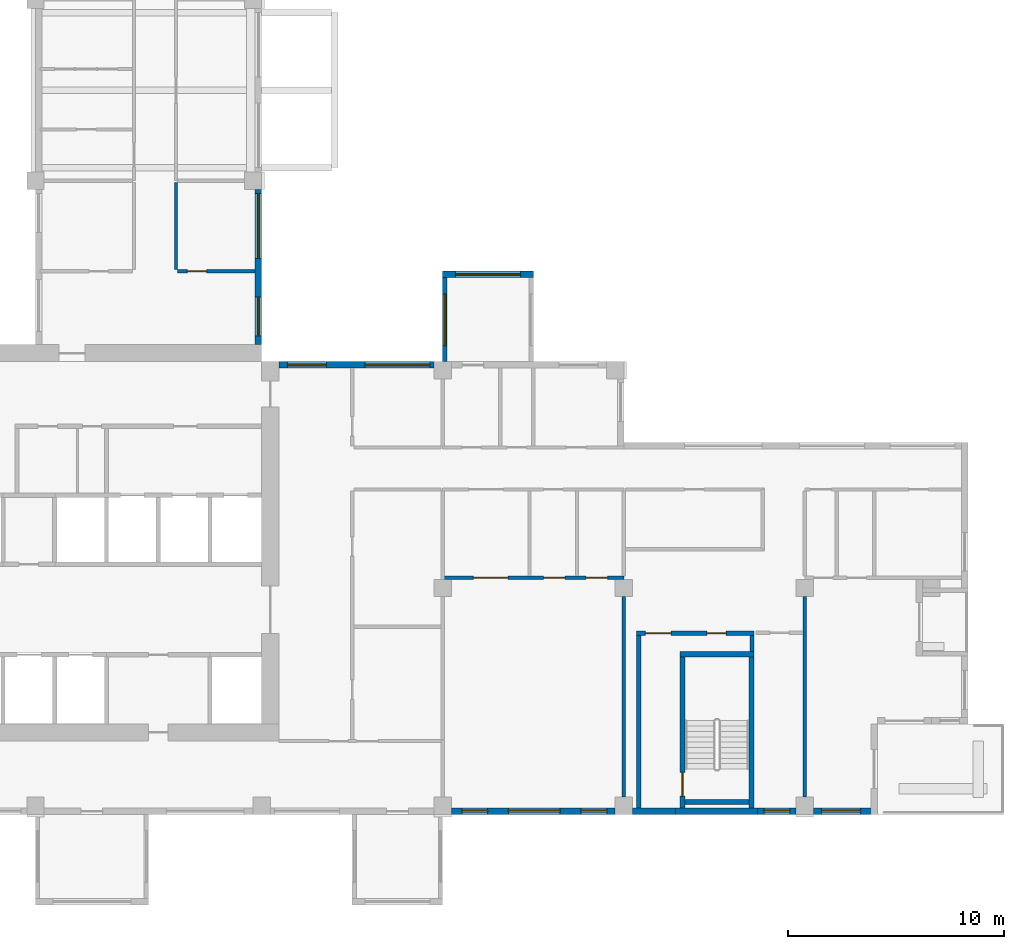
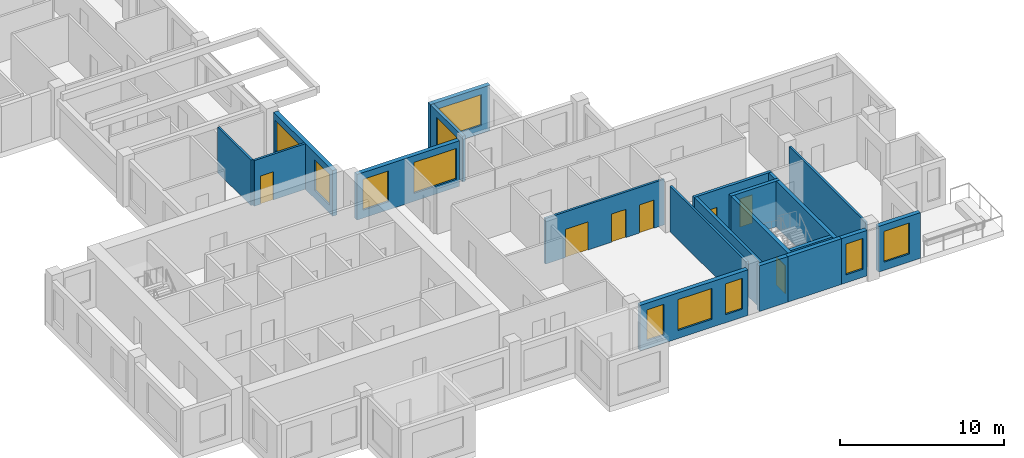
# One storey, part 4 of 12: 21 walls, 11 windows, 7 doors, 18 openings.
"""IFC4 building model written with IfcOpenShell, lengths in metres."""

from ifc_helpers import new_model, si_unit, direction, frame, frame_2d, origin, place, context, subcontext, project, spatial, rectangle, extrude, source, transform, mapped, material, layer, layer_set, type_object, element, fill, save


model = new_model("IFC4")

# Units and contexts
model_context = context("Model", 3, precision=1e-05, world=origin(), true_north=direction((0.0, 1.0)))
body_context = subcontext(model_context, "Body", "Model", "MODEL_VIEW")
ifc_project = project(units=[si_unit("LENGTHUNIT", "METRE"), si_unit("AREAUNIT", "SQUARE_METRE"), si_unit("VOLUMEUNIT", "CUBIC_METRE"), si_unit("PLANEANGLEUNIT", "RADIAN"), si_unit("MASSUNIT", "GRAM", prefix="KILO")], contexts=[model_context])

# Site, building, storey
site_placement = place(None, origin())
site = spatial("IfcSite", under=ifc_project, at=site_placement, CompositionType="ELEMENT")
building_placement = place(site_placement, origin())
building = spatial("IfcBuilding", under=site, at=building_placement, Name="Aurelian Terraces", CompositionType="ELEMENT")
storey_placement = place(building_placement, frame((0.0, 0.0, 234.8)))
storey = spatial("IfcBuildingStorey", under=building, at=storey_placement, Name="L53", CompositionType="ELEMENT", Elevation=234.8)

# Wall, opening, window
ifc_material_1 = material(Name="Concrete fc' 40 MPa", Category="concrete")
ifc_layer_1 = layer(ifc_material_1, 0.2)
ifc_layer_set_1 = layer_set([ifc_layer_1], Name="BOX BEARING WALL 200")
wall_type_1 = type_object("IfcWallType", Name="BOX BEARING WALL 200", PredefinedType="SOLIDWALL", material=ifc_layer_set_1)
shared_shape_1 = source(origin(), body_context, "Body", "SweptSolid", [
    extrude(rectangle(XDim=3.9, YDim=0.2, at=frame_2d((1.95, 0.0))), origin(), (0.0, 0.0, 1.0), 3.4),
])
wall_1_placement = place(storey_placement, frame((29.5, 21.0, 0.0), z_axis=(0.0, 0.0, 1.0), x_axis=(0.0, 1.0, 0.0)))
wall_1 = element("IfcWall", 1, at=wall_1_placement, inside=storey, type_object=wall_type_1, Name="Box return L53 J77.2", PredefinedType="SOLIDWALL", context=body_context, shape_type="MappedRepresentation", body=[
    mapped(shared_shape_1, transform((0.0, 0.0, 0.0), scale=1.0)),
])
shared_shape_2 = source(origin(), body_context, "Body", "SweptSolid", [
    extrude(rectangle(XDim=2.4, YDim=2.3, at=frame_2d((1.2, 1.15))), frame((0.0, 0.11, 0.0), z_axis=(0.0, -1.0, 0.0), x_axis=(1.0, 0.0, 0.0)), (0.0, 0.0, 1.0), 0.22),
])
opening_1_placement = place(wall_1_placement, frame((0.75, 0.0, 0.6)))
opening_1 = element("IfcOpeningElement", 2, at=opening_1_placement, cuts=wall_1, Name="Opening W2423", PredefinedType="OPENING", context=body_context, shape_type="MappedRepresentation", body=[
    mapped(shared_shape_2, transform((0.0, 0.0, 0.0), scale=1.0)),
])
ifc_material_2 = material(Name="Clear glazing", Category="glass")
window_type_1 = type_object("IfcWindowType", Name="W-2400x2300", PartitioningType="SINGLE_PANEL", PredefinedType="WINDOW", material=ifc_material_2)
shared_shape_3 = source(origin(), body_context, "Body", "SweptSolid", [
    extrude(rectangle(XDim=2.4, YDim=2.3, at=frame_2d((1.2, 1.15))), frame((0.0, 0.03, 0.0), z_axis=(0.0, -1.0, 0.0), x_axis=(1.0, 0.0, 0.0)), (0.0, 0.0, 1.0), 0.06),
])
window_1_placement = place(opening_1_placement, origin())
window_1 = element("IfcWindow", 3, at=window_1_placement, inside=storey, type_object=window_type_1, Name="Window L53 J77-S2", OverallHeight=2.3, OverallWidth=2.4, PartitioningType="SINGLE_PANEL", PredefinedType="WINDOW", context=body_context, shape_type="MappedRepresentation", body=[
    mapped(shared_shape_3, transform((0.0, 0.0, 0.0), scale=1.0)),
])
fill(opening_1, window_1)

ifc_layer_2 = layer(ifc_material_1, 0.3)
ifc_layer_set_2 = layer_set([ifc_layer_2], Name="BOX BEARING WALL 300")
wall_type_2 = type_object("IfcWallType", Name="BOX BEARING WALL 300", PredefinedType="SOLIDWALL", material=ifc_layer_set_2)
shared_shape_4 = source(origin(), body_context, "Body", "SweptSolid", [
    extrude(rectangle(XDim=4.2, YDim=0.3, at=frame_2d((2.1, 0.0))), origin(), (0.0, 0.0, 1.0), 3.4),
])
wall_2_placement = place(storey_placement, frame((33.6, 25.05, 0.0), z_axis=(0.0, 0.0, 1.0), x_axis=(-1.0, 0.0, 0.0)))
wall_2 = element("IfcWall", 4, at=wall_2_placement, inside=storey, type_object=wall_type_2, Name="Box wall L53 J77", PredefinedType="SOLIDWALL", context=body_context, shape_type="MappedRepresentation", body=[
    mapped(shared_shape_4, transform((0.0, 0.0, 0.0), scale=1.0)),
])
shared_shape_5 = source(origin(), body_context, "Body", "SweptSolid", [
    extrude(rectangle(XDim=3.0, YDim=2.3, at=frame_2d((1.5, 1.15))), frame((0.0, 0.16, 0.0), z_axis=(0.0, -1.0, 0.0), x_axis=(1.0, 0.0, 0.0)), (0.0, 0.0, 1.0), 0.32),
])
opening_2_placement = place(wall_2_placement, frame((0.6, 0.0, 0.6)))
opening_2 = element("IfcOpeningElement", 5, at=opening_2_placement, cuts=wall_2, Name="Opening W3023", PredefinedType="OPENING", context=body_context, shape_type="MappedRepresentation", body=[
    mapped(shared_shape_5, transform((0.0, 0.0, 0.0), scale=1.0)),
])
window_type_2 = type_object("IfcWindowType", Name="W-3000x2300", PartitioningType="SINGLE_PANEL", PredefinedType="WINDOW", material=ifc_material_2)
shared_shape_6 = source(origin(), body_context, "Body", "SweptSolid", [
    extrude(rectangle(XDim=3.0, YDim=2.3, at=frame_2d((1.5, 1.15))), frame((0.0, 0.03, 0.0), z_axis=(0.0, -1.0, 0.0), x_axis=(1.0, 0.0, 0.0)), (0.0, 0.0, 1.0), 0.06),
])
window_2_placement = place(opening_2_placement, origin())
window_2 = element("IfcWindow", 6, at=window_2_placement, inside=storey, type_object=window_type_2, Name="Window L53 J77-F1", OverallHeight=2.3, OverallWidth=3.0, PartitioningType="SINGLE_PANEL", PredefinedType="WINDOW", context=body_context, shape_type="MappedRepresentation", body=[
    mapped(shared_shape_6, transform((0.0, 0.0, 0.0), scale=1.0)),
])
fill(opening_2, window_2)

# Wall
ifc_layer_3 = layer(ifc_material_1, 0.3)
ifc_layer_set_3 = layer_set([ifc_layer_3], Name="STAIR BAY WALL 300")
wall_type_3 = type_object("IfcWallType", Name="STAIR BAY WALL 300", PredefinedType="SOLIDWALL", material=ifc_layer_set_3)
shared_shape_7 = source(origin(), body_context, "Body", "SweptSolid", [
    extrude(rectangle(XDim=3.8, YDim=0.3, at=frame_2d((1.9, 0.0))), origin(), (0.0, 0.0, 1.0), 3.4),
])
wall_3_placement = place(storey_placement, frame((40.2, 0.15, 0.0), z_axis=(0.0, 0.0, 1.0), x_axis=(1.0, 0.0, 0.0)))
element("IfcWall", 7, at=wall_3_placement, inside=storey, type_object=wall_type_3, Name="Stair bay wall L53 F01.5", PredefinedType="SOLIDWALL", context=body_context, shape_type="MappedRepresentation", body=[
    mapped(shared_shape_7, transform((0.0, 0.0, 0.0), scale=1.0)),
])

# Wall, openings, windows
ifc_material_3 = material(Name="Terracotta rainscreen cladding", Category="masonry")
ifc_layer_4 = layer(ifc_material_3, 0.3)
ifc_layer_set_4 = layer_set([ifc_layer_4], Name="EW-300")
wall_type_4 = type_object("IfcWallType", Name="EW-300", PredefinedType="STANDARD", material=ifc_layer_set_4)
shared_shape_8 = source(origin(), body_context, "Body", "SweptSolid", [
    extrude(rectangle(XDim=7.2, YDim=0.3, at=frame_2d((3.6, 0.0))), origin(), (0.0, 0.0, 1.0), 3.4),
])
wall_4_placement = place(storey_placement, frame((29.0, 20.85, 0.0), z_axis=(0.0, 0.0, 1.0), x_axis=(-1.0, 0.0, 0.0)))
wall_4 = element("IfcWall", 8, at=wall_4_placement, inside=storey, type_object=wall_type_4, Name="External wall L53 F07.16", PredefinedType="STANDARD", context=body_context, shape_type="MappedRepresentation", body=[
    mapped(shared_shape_8, transform((0.0, 0.0, 0.0), scale=1.0)),
])
opening_3_placement = place(wall_4_placement, frame((0.2, 0.0, 0.6)))
opening_3 = element("IfcOpeningElement", 9, at=opening_3_placement, cuts=wall_4, Name="Opening W3023", PredefinedType="OPENING", context=body_context, shape_type="MappedRepresentation", body=[
    mapped(shared_shape_5, transform((0.0, 0.0, 0.0), scale=1.0)),
])
shared_shape_9 = source(origin(), body_context, "Body", "SweptSolid", [
    extrude(rectangle(XDim=1.8, YDim=2.3, at=frame_2d((0.9, 1.15))), frame((0.0, 0.16, 0.0), z_axis=(0.0, -1.0, 0.0), x_axis=(1.0, 0.0, 0.0)), (0.0, 0.0, 1.0), 0.32),
])
opening_4_placement = place(wall_4_placement, frame((5.0, 0.0, 0.6)))
opening_4 = element("IfcOpeningElement", 10, at=opening_4_placement, cuts=wall_4, Name="Opening W1823", PredefinedType="OPENING", context=body_context, shape_type="MappedRepresentation", body=[
    mapped(shared_shape_9, transform((0.0, 0.0, 0.0), scale=1.0)),
])
window_3_placement = place(opening_3_placement, origin())
window_3 = element("IfcWindow", 11, at=window_3_placement, inside=storey, type_object=window_type_2, Name="Window L53 L53-F07-16-0", OverallHeight=2.3, OverallWidth=3.0, PartitioningType="SINGLE_PANEL", PredefinedType="WINDOW", context=body_context, shape_type="MappedRepresentation", body=[
    mapped(shared_shape_6, transform((0.0, 0.0, 0.0), scale=1.0)),
])
fill(opening_3, window_3)
window_type_3 = type_object("IfcWindowType", Name="W-1800x2300", PartitioningType="SINGLE_PANEL", PredefinedType="WINDOW", material=ifc_material_2)
shared_shape_10 = source(origin(), body_context, "Body", "SweptSolid", [
    extrude(rectangle(XDim=1.8, YDim=2.3, at=frame_2d((0.9, 1.15))), frame((0.0, 0.03, 0.0), z_axis=(0.0, -1.0, 0.0), x_axis=(1.0, 0.0, 0.0)), (0.0, 0.0, 1.0), 0.06),
])
window_4_placement = place(opening_4_placement, origin())
window_4 = element("IfcWindow", 12, at=window_4_placement, inside=storey, type_object=window_type_3, Name="Window L53 L53-F07-16-1", OverallHeight=2.3, OverallWidth=1.8, PartitioningType="SINGLE_PANEL", PredefinedType="WINDOW", context=body_context, shape_type="MappedRepresentation", body=[
    mapped(shared_shape_10, transform((0.0, 0.0, 0.0), scale=1.0)),
])
fill(opening_4, window_4)

wall_5_placement = place(storey_placement, frame((20.85, 21.8, 0.0), z_axis=(0.0, 0.0, 1.0), x_axis=(0.0, 1.0, 0.0)))
wall_5 = element("IfcWall", 13, at=wall_5_placement, inside=storey, type_object=wall_type_4, Name="External wall L53 F08.17", PredefinedType="STANDARD", context=body_context, shape_type="MappedRepresentation", body=[
    mapped(shared_shape_8, transform((0.0, 0.0, 0.0), scale=1.0)),
])
opening_5_placement = place(wall_5_placement, frame((0.4, 0.0, 0.6)))
opening_5 = element("IfcOpeningElement", 14, at=opening_5_placement, cuts=wall_5, Name="Opening W1823", PredefinedType="OPENING", context=body_context, shape_type="MappedRepresentation", body=[
    mapped(shared_shape_9, transform((0.0, 0.0, 0.0), scale=1.0)),
])
opening_6_placement = place(wall_5_placement, frame((4.0, 0.0, 0.6)))
opening_6 = element("IfcOpeningElement", 15, at=opening_6_placement, cuts=wall_5, Name="Opening W3023", PredefinedType="OPENING", context=body_context, shape_type="MappedRepresentation", body=[
    mapped(shared_shape_5, transform((0.0, 0.0, 0.0), scale=1.0)),
])
window_5_placement = place(opening_6_placement, origin())
window_5 = element("IfcWindow", 16, at=window_5_placement, inside=storey, type_object=window_type_2, Name="Window L53 L53-F08-17-1", OverallHeight=2.3, OverallWidth=3.0, PartitioningType="SINGLE_PANEL", PredefinedType="WINDOW", context=body_context, shape_type="MappedRepresentation", body=[
    mapped(shared_shape_6, transform((0.0, 0.0, 0.0), scale=1.0)),
])
fill(opening_6, window_5)
window_6_placement = place(opening_5_placement, origin())
window_6 = element("IfcWindow", 17, at=window_6_placement, inside=storey, type_object=window_type_3, Name="Window L53 L53-F08-17-0", OverallHeight=2.3, OverallWidth=1.8, PartitioningType="SINGLE_PANEL", PredefinedType="WINDOW", context=body_context, shape_type="MappedRepresentation", body=[
    mapped(shared_shape_10, transform((0.0, 0.0, 0.0), scale=1.0)),
])
fill(opening_5, window_6)

shared_shape_11 = source(origin(), body_context, "Body", "SweptSolid", [
    extrude(rectangle(XDim=7.6, YDim=0.3, at=frame_2d((3.8, 0.0))), origin(), (0.0, 0.0, 1.0), 3.4),
])
wall_6_placement = place(storey_placement, frame((29.8, 0.15, 0.0), z_axis=(0.0, 0.0, 1.0), x_axis=(1.0, 0.0, 0.0)))
wall_6 = element("IfcWall", 18, at=wall_6_placement, inside=storey, type_object=wall_type_4, Name="External wall L53 F01.4", PredefinedType="STANDARD", context=body_context, shape_type="MappedRepresentation", body=[
    mapped(shared_shape_11, transform((0.0, 0.0, 0.0), scale=1.0)),
])
shared_shape_12 = source(origin(), body_context, "Body", "SweptSolid", [
    extrude(rectangle(XDim=1.2, YDim=2.3, at=frame_2d((0.6, 1.15))), frame((0.0, 0.16, 0.0), z_axis=(0.0, -1.0, 0.0), x_axis=(1.0, 0.0, 0.0)), (0.0, 0.0, 1.0), 0.32),
])
opening_7_placement = place(wall_6_placement, frame((0.4875, 0.0, 0.6)))
opening_7 = element("IfcOpeningElement", 19, at=opening_7_placement, cuts=wall_6, Name="Opening W1223", PredefinedType="OPENING", context=body_context, shape_type="MappedRepresentation", body=[
    mapped(shared_shape_12, transform((0.0, 0.0, 0.0), scale=1.0)),
])
opening_8_placement = place(wall_6_placement, frame((6.0125, 0.0, 0.6)))
opening_8 = element("IfcOpeningElement", 20, at=opening_8_placement, cuts=wall_6, Name="Opening W1223", PredefinedType="OPENING", context=body_context, shape_type="MappedRepresentation", body=[
    mapped(shared_shape_12, transform((0.0, 0.0, 0.0), scale=1.0)),
])
shared_shape_13 = source(origin(), body_context, "Body", "SweptSolid", [
    extrude(rectangle(XDim=2.4, YDim=2.3, at=frame_2d((1.2, 1.15))), frame((0.0, 0.16, 0.0), z_axis=(0.0, -1.0, 0.0), x_axis=(1.0, 0.0, 0.0)), (0.0, 0.0, 1.0), 0.32),
])
opening_9_placement = place(wall_6_placement, frame((2.65, 0.0, 0.6)))
opening_9 = element("IfcOpeningElement", 21, at=opening_9_placement, cuts=wall_6, Name="Opening W2423", PredefinedType="OPENING", context=body_context, shape_type="MappedRepresentation", body=[
    mapped(shared_shape_13, transform((0.0, 0.0, 0.0), scale=1.0)),
])
window_type_4 = type_object("IfcWindowType", Name="W-1200x2300", PartitioningType="SINGLE_PANEL", PredefinedType="WINDOW", material=ifc_material_2)
shared_shape_14 = source(origin(), body_context, "Body", "SweptSolid", [
    extrude(rectangle(XDim=1.2, YDim=2.3, at=frame_2d((0.6, 1.15))), frame((0.0, 0.03, 0.0), z_axis=(0.0, -1.0, 0.0), x_axis=(1.0, 0.0, 0.0)), (0.0, 0.0, 1.0), 0.06),
])
window_7_placement = place(opening_7_placement, origin())
window_7 = element("IfcWindow", 22, at=window_7_placement, inside=storey, type_object=window_type_4, Name="Window L53 L53-F01-04-0", OverallHeight=2.3, OverallWidth=1.2, PartitioningType="SINGLE_PANEL", PredefinedType="WINDOW", context=body_context, shape_type="MappedRepresentation", body=[
    mapped(shared_shape_14, transform((0.0, 0.0, 0.0), scale=1.0)),
])
fill(opening_7, window_7)
window_8_placement = place(opening_8_placement, origin())
window_8 = element("IfcWindow", 23, at=window_8_placement, inside=storey, type_object=window_type_4, Name="Window L53 L53-F01-04-1", OverallHeight=2.3, OverallWidth=1.2, PartitioningType="SINGLE_PANEL", PredefinedType="WINDOW", context=body_context, shape_type="MappedRepresentation", body=[
    mapped(shared_shape_14, transform((0.0, 0.0, 0.0), scale=1.0)),
])
fill(opening_8, window_8)
window_9_placement = place(opening_9_placement, origin())
window_9 = element("IfcWindow", 24, at=window_9_placement, inside=storey, type_object=window_type_1, Name="Window L53 L53-F01-04-G0-21", OverallHeight=2.3, OverallWidth=2.4, PartitioningType="SINGLE_PANEL", PredefinedType="WINDOW", context=body_context, shape_type="MappedRepresentation", body=[
    mapped(shared_shape_3, transform((0.0, 0.0, 0.0), scale=1.0)),
])
fill(opening_9, window_9)

# Wall, opening, window
shared_shape_15 = source(origin(), body_context, "Body", "SweptSolid", [
    extrude(rectangle(XDim=2.96, YDim=0.3, at=frame_2d((1.48, 0.0))), origin(), (0.0, 0.0, 1.0), 3.4),
])
wall_7_placement = place(storey_placement, frame((46.6, 0.15, 0.0), z_axis=(0.0, 0.0, 1.0), x_axis=(1.0, 0.0, 0.0)))
wall_7 = element("IfcWall", 25, at=wall_7_placement, inside=storey, type_object=wall_type_4, Name="External wall L53 F01.6", PredefinedType="STANDARD", context=body_context, shape_type="MappedRepresentation", body=[
    mapped(shared_shape_15, transform((0.0, 0.0, 0.0), scale=1.0)),
])
opening_10_placement = place(wall_7_placement, frame((0.38, 0.0, 0.6)))
opening_10 = element("IfcOpeningElement", 26, at=opening_10_placement, cuts=wall_7, Name="Opening W1823", PredefinedType="OPENING", context=body_context, shape_type="MappedRepresentation", body=[
    mapped(shared_shape_9, transform((0.0, 0.0, 0.0), scale=1.0)),
])
window_10_placement = place(opening_10_placement, origin())
window_10 = element("IfcWindow", 27, at=window_10_placement, inside=storey, type_object=window_type_3, Name="Window L53 L53-F01-06-0", OverallHeight=2.3, OverallWidth=1.8, PartitioningType="SINGLE_PANEL", PredefinedType="WINDOW", context=body_context, shape_type="MappedRepresentation", body=[
    mapped(shared_shape_10, transform((0.0, 0.0, 0.0), scale=1.0)),
])
fill(opening_10, window_10)

# Wall
shared_shape_16 = source(origin(), body_context, "Body", "SweptSolid", [
    extrude(rectangle(XDim=2.0, YDim=0.3, at=frame_2d((1.0, 0.0))), origin(), (0.0, 0.0, 1.0), 3.4),
])
wall_8_placement = place(storey_placement, frame((38.2, 0.15, 0.0), z_axis=(0.0, 0.0, 1.0), x_axis=(1.0, 0.0, 0.0)))
element("IfcWall", 28, at=wall_8_placement, inside=storey, type_object=wall_type_4, Name="External wall L53 F01.5", PredefinedType="STANDARD", context=body_context, shape_type="MappedRepresentation", body=[
    mapped(shared_shape_16, transform((0.0, 0.0, 0.0), scale=1.0)),
])

# Wall, opening, window
shared_shape_17 = source(origin(), body_context, "Body", "SweptSolid", [
    extrude(rectangle(XDim=1.8, YDim=0.3, at=frame_2d((0.9, 0.0))), origin(), (0.0, 0.0, 1.0), 3.4),
])
wall_9_placement = place(storey_placement, frame((44.0, 0.15, 0.0), z_axis=(0.0, 0.0, 1.0), x_axis=(1.0, 0.0, 0.0)))
wall_9 = element("IfcWall", 29, at=wall_9_placement, inside=storey, type_object=wall_type_4, Name="External wall L53 F01.5", PredefinedType="STANDARD", context=body_context, shape_type="MappedRepresentation", body=[
    mapped(shared_shape_17, transform((0.0, 0.0, 0.0), scale=1.0)),
])
opening_11_placement = place(wall_9_placement, frame((0.3, 0.0, 0.6)))
opening_11 = element("IfcOpeningElement", 30, at=opening_11_placement, cuts=wall_9, Name="Opening W1223", PredefinedType="OPENING", context=body_context, shape_type="MappedRepresentation", body=[
    mapped(shared_shape_12, transform((0.0, 0.0, 0.0), scale=1.0)),
])
window_11_placement = place(opening_11_placement, origin())
window_11 = element("IfcWindow", 31, at=window_11_placement, inside=storey, type_object=window_type_4, Name="Window L53 L53-F01-05-P2", OverallHeight=2.3, OverallWidth=1.2, PartitioningType="SINGLE_PANEL", PredefinedType="WINDOW", context=body_context, shape_type="MappedRepresentation", body=[
    mapped(shared_shape_14, transform((0.0, 0.0, 0.0), scale=1.0)),
])
fill(opening_11, window_11)

# Wall, opening, door
ifc_layer_5 = layer(ifc_material_1, 0.25)
ifc_layer_set_5 = layer_set([ifc_layer_5], Name="Stair enclosure wall 250")
wall_type_5 = type_object("IfcWallType", Name="Stair enclosure wall 250", PredefinedType="SOLIDWALL", material=ifc_layer_set_5)
shared_shape_18 = source(origin(), body_context, "Body", "SweptSolid", [
    extrude(rectangle(XDim=7.0, YDim=0.25, at=frame_2d((3.5, 0.0))), origin(), (0.0, 0.0, 1.0), 3.4),
])
wall_10_placement = place(storey_placement, frame((40.525, 0.3, 0.0), z_axis=(0.0, 0.0, 1.0), x_axis=(0.0, 1.0, 0.0)))
wall_10 = element("IfcWall", 32, at=wall_10_placement, inside=storey, type_object=wall_type_5, Name="L53 core wall ST-S2-W", PredefinedType="SOLIDWALL", context=body_context, shape_type="MappedRepresentation", body=[
    mapped(shared_shape_18, transform((0.0, 0.0, 0.0), scale=1.0)),
])
shared_shape_19 = source(origin(), body_context, "Body", "SweptSolid", [
    extrude(rectangle(XDim=1.1, YDim=2.1, at=frame_2d((0.55, 1.05))), frame((0.0, 0.135, 0.0), z_axis=(0.0, -1.0, 0.0), x_axis=(1.0, 0.0, 0.0)), (0.0, 0.0, 1.0), 0.27),
])
opening_12_placement = place(wall_10_placement, frame((0.55, 0.0, 0.0)))
opening_12 = element("IfcOpeningElement", 33, at=opening_12_placement, cuts=wall_10, Name="Opening 65615", PredefinedType="OPENING", context=body_context, shape_type="MappedRepresentation", body=[
    mapped(shared_shape_19, transform((0.0, 0.0, 0.0), scale=1.0)),
])
ifc_material_4 = material(Name="Steel door leaf", Category="steel")
door_type_1 = type_object("IfcDoorType", Name="Core fire door 1100x2100 right", OperationType="SINGLE_SWING_RIGHT", PredefinedType="DOOR", material=ifc_material_4)
shared_shape_20 = source(origin(), body_context, "Body", "SweptSolid", [
    extrude(rectangle(XDim=1.1, YDim=2.1, at=frame_2d((0.55, 1.05))), frame((0.0, 0.025, 0.0), z_axis=(0.0, -1.0, 0.0), x_axis=(1.0, 0.0, 0.0)), (0.0, 0.0, 1.0), 0.05),
])
door_1_placement = place(opening_12_placement, origin())
door_1 = element("IfcDoor", 34, at=door_1_placement, inside=storey, type_object=door_type_1, Name="Stair door 65615", OperationType="SINGLE_SWING_RIGHT", OverallHeight=2.1, OverallWidth=1.1, PredefinedType="DOOR", context=body_context, shape_type="MappedRepresentation", body=[
    mapped(shared_shape_20, transform((0.0, 0.0, 0.0), scale=1.0)),
])
fill(opening_12, door_1)

# Walls
wall_11_placement = place(storey_placement, frame((43.725, 0.3, 0.0), z_axis=(0.0, 0.0, 1.0), x_axis=(0.0, 1.0, 0.0)))
element("IfcWall", 35, at=wall_11_placement, inside=storey, type_object=wall_type_5, Name="L53 core wall ST-S2-E", PredefinedType="SOLIDWALL", context=body_context, shape_type="MappedRepresentation", body=[
    mapped(shared_shape_18, transform((0.0, 0.0, 0.0), scale=1.0)),
])
shared_shape_21 = source(origin(), body_context, "Body", "SweptSolid", [
    extrude(rectangle(XDim=3.45, YDim=0.25, at=frame_2d((1.725, 0.0))), origin(), (0.0, 0.0, 1.0), 3.4),
])
wall_12_placement = place(storey_placement, frame((40.4, 7.425, 0.0), z_axis=(0.0, 0.0, 1.0), x_axis=(1.0, 0.0, 0.0)))
element("IfcWall", 36, at=wall_12_placement, inside=storey, type_object=wall_type_5, Name="L53 core wall ST-S2-N", PredefinedType="SOLIDWALL", context=body_context, shape_type="MappedRepresentation", body=[
    mapped(shared_shape_21, transform((0.0, 0.0, 0.0), scale=1.0)),
])
shared_shape_22 = source(origin(), body_context, "Body", "SweptSolid", [
    extrude(rectangle(XDim=2.95, YDim=0.25, at=frame_2d((1.475, 0.0))), origin(), (0.0, 0.0, 1.0), 3.4),
])
wall_13_placement = place(storey_placement, frame((40.65, 0.575, 0.0), z_axis=(0.0, 0.0, 1.0), x_axis=(1.0, 0.0, 0.0)))
element("IfcWall", 37, at=wall_13_placement, inside=storey, type_object=wall_type_5, Name="L53 core wall ST-S2-SS", PredefinedType="SOLIDWALL", context=body_context, shape_type="MappedRepresentation", body=[
    mapped(shared_shape_22, transform((0.0, 0.0, 0.0), scale=1.0)),
])

# Wall, openings, doors
ifc_material_5 = material(Name="Gypsum board on steel studs", Category="steel")
ifc_layer_6 = layer(ifc_material_5, 0.2)
ifc_layer_set_6 = layer_set([ifc_layer_6], Name="Core partition 200")
wall_type_6 = type_object("IfcWallType", Name="Core partition 200", PredefinedType="PARTITIONING", material=ifc_layer_set_6)
shared_shape_23 = source(origin(), body_context, "Body", "SweptSolid", [
    extrude(rectangle(XDim=5.45, YDim=0.2, at=frame_2d((2.725, 0.0))), origin(), (0.0, 0.0, 1.0), 3.4),
])
wall_14_placement = place(storey_placement, frame((38.4, 8.4, 0.0), z_axis=(0.0, 0.0, 1.0), x_axis=(1.0, 0.0, 0.0)))
wall_14 = element("IfcWall", 38, at=wall_14_placement, inside=storey, type_object=wall_type_6, Name="L53 core wall ST-S2-BN", PredefinedType="PARTITIONING", context=body_context, shape_type="MappedRepresentation", body=[
    mapped(shared_shape_23, transform((0.0, 0.0, 0.0), scale=1.0)),
])
shared_shape_24 = source(origin(), body_context, "Body", "SweptSolid", [
    extrude(rectangle(XDim=1.2, YDim=2.1, at=frame_2d((0.6, 1.05))), frame((0.0, 0.11, 0.0), z_axis=(0.0, -1.0, 0.0), x_axis=(1.0, 0.0, 0.0)), (0.0, 0.0, 1.0), 0.22),
])
opening_13_placement = place(wall_14_placement, frame((0.4, 0.0, 0.0)))
opening_13 = element("IfcOpeningElement", 39, at=opening_13_placement, cuts=wall_14, Name="Opening 65616", PredefinedType="OPENING", context=body_context, shape_type="MappedRepresentation", body=[
    mapped(shared_shape_24, transform((0.0, 0.0, 0.0), scale=1.0)),
])
shared_shape_25 = source(origin(), body_context, "Body", "SweptSolid", [
    extrude(rectangle(XDim=0.9, YDim=2.1, at=frame_2d((0.45, 1.05))), frame((0.0, 0.11, 0.0), z_axis=(0.0, -1.0, 0.0), x_axis=(1.0, 0.0, 0.0)), (0.0, 0.0, 1.0), 0.22),
])
opening_14_placement = place(wall_14_placement, frame((3.25, 0.0, 0.0)))
opening_14 = element("IfcOpeningElement", 40, at=opening_14_placement, cuts=wall_14, Name="Opening 65617", PredefinedType="OPENING", context=body_context, shape_type="MappedRepresentation", body=[
    mapped(shared_shape_25, transform((0.0, 0.0, 0.0), scale=1.0)),
])
door_type_2 = type_object("IfcDoorType", Name="Core riser door 900x2100 right", OperationType="SINGLE_SWING_RIGHT", PredefinedType="DOOR", material=ifc_material_4)
shared_shape_26 = source(origin(), body_context, "Body", "SweptSolid", [
    extrude(rectangle(XDim=0.9, YDim=2.1, at=frame_2d((0.45, 1.05))), frame((0.0, 0.025, 0.0), z_axis=(0.0, -1.0, 0.0), x_axis=(1.0, 0.0, 0.0)), (0.0, 0.0, 1.0), 0.05),
])
door_2_placement = place(opening_14_placement, origin())
door_2 = element("IfcDoor", 41, at=door_2_placement, inside=storey, type_object=door_type_2, Name="Riser door 65617", OperationType="SINGLE_SWING_RIGHT", OverallHeight=2.1, OverallWidth=0.9, PredefinedType="DOOR", context=body_context, shape_type="MappedRepresentation", body=[
    mapped(shared_shape_26, transform((0.0, 0.0, 0.0), scale=1.0)),
])
fill(opening_14, door_2)
door_type_3 = type_object("IfcDoorType", Name="Core fire door 1200x2100", OperationType="SINGLE_SWING_LEFT", PredefinedType="DOOR", material=ifc_material_4)
shared_shape_27 = source(origin(), body_context, "Body", "SweptSolid", [
    extrude(rectangle(XDim=1.2, YDim=2.1, at=frame_2d((0.6, 1.05))), frame((0.0, 0.025, 0.0), z_axis=(0.0, -1.0, 0.0), x_axis=(1.0, 0.0, 0.0)), (0.0, 0.0, 1.0), 0.05),
])
door_3_placement = place(opening_13_placement, origin())
door_3 = element("IfcDoor", 42, at=door_3_placement, inside=storey, type_object=door_type_3, Name="Vestibule door 65616", OperationType="SINGLE_SWING_LEFT", OverallHeight=2.1, OverallWidth=1.2, PredefinedType="DOOR", context=body_context, shape_type="MappedRepresentation", body=[
    mapped(shared_shape_27, transform((0.0, 0.0, 0.0), scale=1.0)),
])
fill(opening_13, door_3)

# Walls
shared_shape_28 = source(origin(), body_context, "Body", "SweptSolid", [
    extrude(rectangle(XDim=0.75, YDim=0.2, at=frame_2d((0.375, 0.0))), origin(), (0.0, 0.0, 1.0), 3.4),
])
wall_15_placement = place(storey_placement, frame((43.75, 7.55, 0.0), z_axis=(0.0, 0.0, 1.0), x_axis=(0.0, 1.0, 0.0)))
element("IfcWall", 43, at=wall_15_placement, inside=storey, type_object=wall_type_6, Name="L53 core wall ST-S2-RE", PredefinedType="PARTITIONING", context=body_context, shape_type="MappedRepresentation", body=[
    mapped(shared_shape_28, transform((0.0, 0.0, 0.0), scale=1.0)),
])
shared_shape_29 = source(origin(), body_context, "Body", "SweptSolid", [
    extrude(rectangle(XDim=8.0, YDim=0.2, at=frame_2d((4.0, 0.0))), origin(), (0.0, 0.0, 1.0), 3.4),
])
wall_16_placement = place(storey_placement, frame((38.5, 0.3, 0.0), z_axis=(0.0, 0.0, 1.0), x_axis=(0.0, 1.0, 0.0)))
element("IfcWall", 44, at=wall_16_placement, inside=storey, type_object=wall_type_6, Name="L53 core wall ST-S2-VW", PredefinedType="PARTITIONING", context=body_context, shape_type="MappedRepresentation", body=[
    mapped(shared_shape_29, transform((0.0, 0.0, 0.0), scale=1.0)),
])

# Wall, opening, door
ifc_layer_7 = layer(ifc_material_5, 0.15)
ifc_layer_set_7 = layer_set([ifc_layer_7], Name="Partition 150")
wall_type_7 = type_object("IfcWallType", Name="Partition 150", PredefinedType="PARTITIONING", material=ifc_layer_set_7)
shared_shape_30 = source(origin(), body_context, "Body", "SweptSolid", [
    extrude(rectangle(XDim=3.6, YDim=0.15, at=frame_2d((1.8, 0.0))), origin(), (0.0, 0.0, 1.0), 3.4),
])
wall_17_placement = place(storey_placement, frame((17.1, 25.2, 0.0), z_axis=(0.0, 0.0, 1.0), x_axis=(1.0, 0.0, 0.0)))
wall_17 = element("IfcWall", 45, at=wall_17_placement, inside=storey, type_object=wall_type_7, Name="Partition", PredefinedType="PARTITIONING", context=body_context, shape_type="MappedRepresentation", body=[
    mapped(shared_shape_30, transform((0.0, 0.0, 0.0), scale=1.0)),
])
shared_shape_31 = source(origin(), body_context, "Body", "SweptSolid", [
    extrude(rectangle(XDim=0.9, YDim=2.1, at=frame_2d((0.45, 1.05))), frame((0.0, 0.085, 0.0), z_axis=(0.0, -1.0, 0.0), x_axis=(1.0, 0.0, 0.0)), (0.0, 0.0, 1.0), 0.17),
])
opening_15_placement = place(wall_17_placement, frame((0.45, 0.0, 0.0)))
opening_15 = element("IfcOpeningElement", 46, at=opening_15_placement, cuts=wall_17, Name="Opening 753019", PredefinedType="OPENING", context=body_context, shape_type="MappedRepresentation", body=[
    mapped(shared_shape_31, transform((0.0, 0.0, 0.0), scale=1.0)),
])
ifc_material_6 = material(Name="Timber door leaf", Category="wood")
door_type_4 = type_object("IfcDoorType", Name="Room door 900x2100 left", OperationType="SINGLE_SWING_LEFT", PredefinedType="DOOR", material=ifc_material_6)
door_4_placement = place(opening_15_placement, origin())
door_4 = element("IfcDoor", 47, at=door_4_placement, inside=storey, type_object=door_type_4, Name="Door 753019", OperationType="SINGLE_SWING_LEFT", OverallHeight=2.1, OverallWidth=0.9, PredefinedType="DOOR", context=body_context, shape_type="MappedRepresentation", body=[
    mapped(shared_shape_26, transform((0.0, 0.0, 0.0), scale=1.0)),
])
fill(opening_15, door_4)

# Wall, openings, doors
shared_shape_32 = source(origin(), body_context, "Body", "SweptSolid", [
    extrude(rectangle(XDim=8.4, YDim=0.15, at=frame_2d((4.2, 0.0))), origin(), (0.0, 0.0, 1.0), 3.4),
])
wall_18_placement = place(storey_placement, frame((37.8, 10.975, 0.0), z_axis=(0.0, 0.0, 1.0), x_axis=(-1.0, 0.0, 0.0)))
wall_18 = element("IfcWall", 48, at=wall_18_placement, inside=storey, type_object=wall_type_7, Name="Partition", PredefinedType="PARTITIONING", context=body_context, shape_type="MappedRepresentation", body=[
    mapped(shared_shape_32, transform((0.0, 0.0, 0.0), scale=1.0)),
])
shared_shape_33 = source(origin(), body_context, "Body", "SweptSolid", [
    extrude(rectangle(XDim=1.6, YDim=2.1, at=frame_2d((0.8, 1.05))), frame((0.0, 0.085, 0.0), z_axis=(0.0, -1.0, 0.0), x_axis=(1.0, 0.0, 0.0)), (0.0, 0.0, 1.0), 0.17),
])
opening_16_placement = place(wall_18_placement, frame((5.3763, 0.0, 0.0)))
opening_16 = element("IfcOpeningElement", 49, at=opening_16_placement, cuts=wall_18, Name="Opening 753008", PredefinedType="OPENING", context=body_context, shape_type="MappedRepresentation", body=[
    mapped(shared_shape_33, transform((0.0, 0.0, 0.0), scale=1.0)),
])
shared_shape_34 = source(origin(), body_context, "Body", "SweptSolid", [
    extrude(rectangle(XDim=1.0, YDim=2.1, at=frame_2d((0.5, 1.05))), frame((0.0, 0.085, 0.0), z_axis=(0.0, -1.0, 0.0), x_axis=(1.0, 0.0, 0.0)), (0.0, 0.0, 1.0), 0.17),
])
opening_17_placement = place(wall_18_placement, frame((2.7224, 0.0, 0.0)))
opening_17 = element("IfcOpeningElement", 50, at=opening_17_placement, cuts=wall_18, Name="Opening 753009", PredefinedType="OPENING", context=body_context, shape_type="MappedRepresentation", body=[
    mapped(shared_shape_34, transform((0.0, 0.0, 0.0), scale=1.0)),
])
opening_18_placement = place(wall_18_placement, frame((0.7461, 0.0, 0.0)))
opening_18 = element("IfcOpeningElement", 51, at=opening_18_placement, cuts=wall_18, Name="Opening 753010", PredefinedType="OPENING", context=body_context, shape_type="MappedRepresentation", body=[
    mapped(shared_shape_34, transform((0.0, 0.0, 0.0), scale=1.0)),
])
door_type_5 = type_object("IfcDoorType", Name="Room door 1000x2100 left", OperationType="SINGLE_SWING_LEFT", PredefinedType="DOOR", material=ifc_material_6)
shared_shape_35 = source(origin(), body_context, "Body", "SweptSolid", [
    extrude(rectangle(XDim=1.0, YDim=2.1, at=frame_2d((0.5, 1.05))), frame((0.0, 0.025, 0.0), z_axis=(0.0, -1.0, 0.0), x_axis=(1.0, 0.0, 0.0)), (0.0, 0.0, 1.0), 0.05),
])
door_5_placement = place(opening_17_placement, origin())
door_5 = element("IfcDoor", 52, at=door_5_placement, inside=storey, type_object=door_type_5, Name="Door 753009", OperationType="SINGLE_SWING_LEFT", OverallHeight=2.1, OverallWidth=1.0, PredefinedType="DOOR", context=body_context, shape_type="MappedRepresentation", body=[
    mapped(shared_shape_35, transform((0.0, 0.0, 0.0), scale=1.0)),
])
fill(opening_17, door_5)
door_type_6 = type_object("IfcDoorType", Name="Room door 1000x2100 right", OperationType="SINGLE_SWING_RIGHT", PredefinedType="DOOR", material=ifc_material_6)
door_6_placement = place(opening_18_placement, origin())
door_6 = element("IfcDoor", 53, at=door_6_placement, inside=storey, type_object=door_type_6, Name="Door 753010", OperationType="SINGLE_SWING_RIGHT", OverallHeight=2.1, OverallWidth=1.0, PredefinedType="DOOR", context=body_context, shape_type="MappedRepresentation", body=[
    mapped(shared_shape_35, transform((0.0, 0.0, 0.0), scale=1.0)),
])
fill(opening_18, door_6)
door_type_7 = type_object("IfcDoorType", Name="Room door 1600x2100 right", OperationType="SINGLE_SWING_RIGHT", PredefinedType="DOOR", material=ifc_material_6)
shared_shape_36 = source(origin(), body_context, "Body", "SweptSolid", [
    extrude(rectangle(XDim=1.6, YDim=2.1, at=frame_2d((0.8, 1.05))), frame((0.0, 0.025, 0.0), z_axis=(0.0, -1.0, 0.0), x_axis=(1.0, 0.0, 0.0)), (0.0, 0.0, 1.0), 0.05),
])
door_7_placement = place(opening_16_placement, origin())
door_7 = element("IfcDoor", 54, at=door_7_placement, inside=storey, type_object=door_type_7, Name="Door 753008", OperationType="SINGLE_SWING_RIGHT", OverallHeight=2.1, OverallWidth=1.6, PredefinedType="DOOR", context=body_context, shape_type="MappedRepresentation", body=[
    mapped(shared_shape_36, transform((0.0, 0.0, 0.0), scale=1.0)),
])
fill(opening_16, door_7)

# Walls
ifc_layer_8 = layer(ifc_material_5, 0.15)
ifc_layer_set_8 = layer_set([ifc_layer_8], Name="Fire partition 150")
wall_type_8 = type_object("IfcWallType", Name="Fire partition 150", PredefinedType="PARTITIONING", material=ifc_layer_set_8)
shared_shape_37 = source(origin(), body_context, "Body", "SweptSolid", [
    extrude(rectangle(XDim=4.05, YDim=0.15, at=frame_2d((2.025, 0.0))), origin(), (0.0, 0.0, 1.0), 3.4),
])
wall_19_placement = place(storey_placement, frame((17.025, 29.325, 0.0), z_axis=(0.0, 0.0, 1.0), x_axis=(0.0, -1.0, 0.0)))
element("IfcWall", 55, at=wall_19_placement, inside=storey, type_object=wall_type_8, Name="Corridor wall", PredefinedType="PARTITIONING", context=body_context, shape_type="MappedRepresentation", body=[
    mapped(shared_shape_37, transform((0.0, 0.0, 0.0), scale=1.0)),
])
shared_shape_38 = source(origin(), body_context, "Body", "SweptSolid", [
    extrude(rectangle(XDim=9.302, YDim=0.15, at=frame_2d((4.651, 0.0))), origin(), (0.0, 0.0, 1.0), 3.4),
])
for number, where, z_axis, x_axis, name in (
    (56, (37.8, 0.799, 0.0), (0.0, 0.0, 1.0), (0.0, 1.0, 0.0), "Party wall"),
    (57, (46.2, 0.799, 0.0), (0.0, 0.0, 1.0), (0.0, 1.0, 0.0), "Party wall"),
):
    element("IfcWall", number, at=place(storey_placement, frame(where, z_axis=z_axis, x_axis=x_axis)), inside=storey, type_object=wall_type_8, Name=name, PredefinedType="PARTITIONING", context=body_context, shape_type="MappedRepresentation", body=[
        mapped(shared_shape_38, transform((0.0, 0.0, 0.0), scale=1.0)),
    ])

save(model, "model.ifc")
